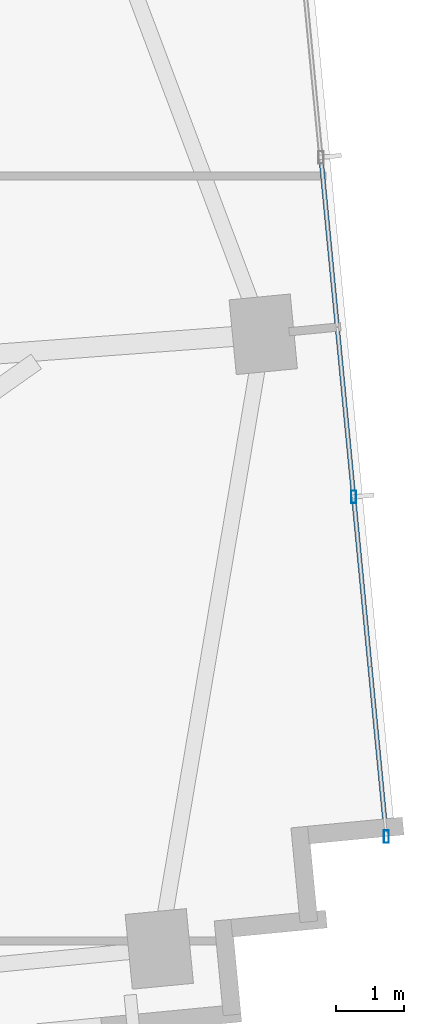
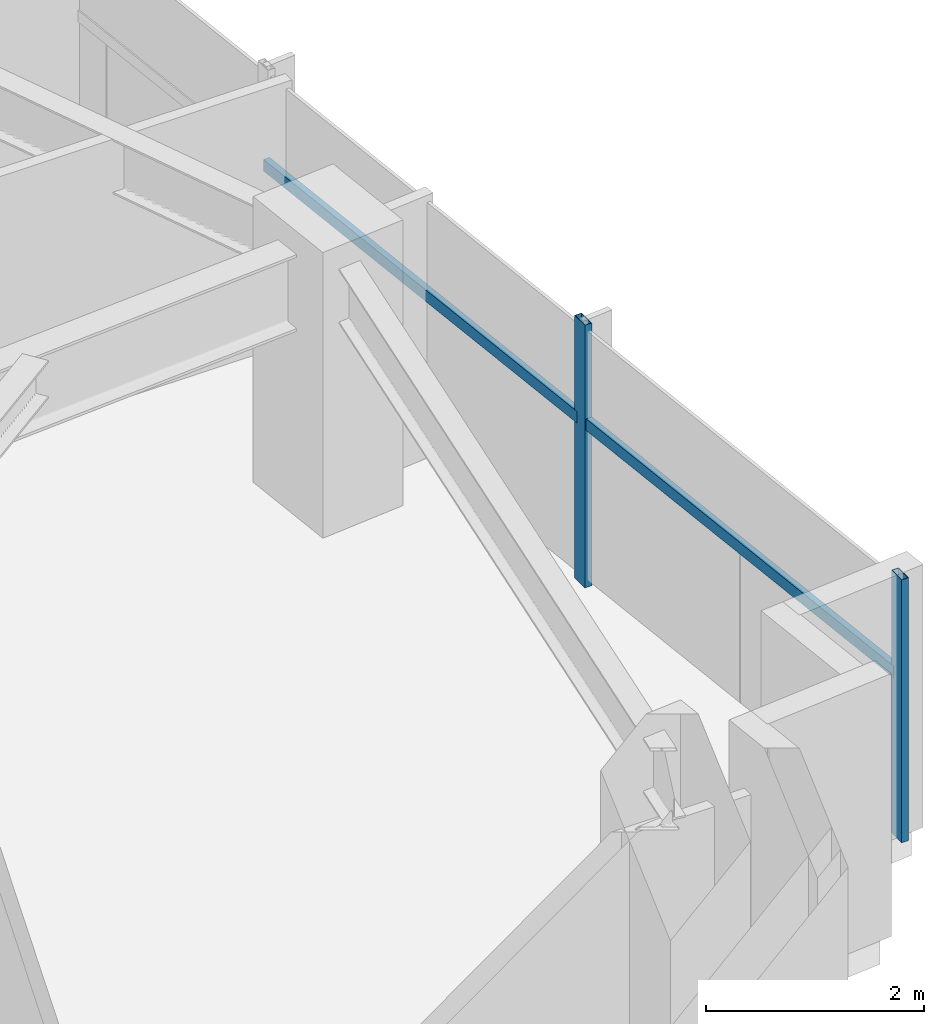
# One storey, part 14 of 25: 4 members, 1 element without a shape of its own.
"""IFC4 building model written with IfcOpenShell, lengths in metres."""

from ifc_helpers import new_model, si_unit, direction, frame, origin, origin_2d, place, context, subcontext, project, spatial, hollow_rectangle, extrude, source, transform, mapped, material, material_profile, profile_set, type_object, type_shapes, element, aggregate, save


model = new_model("IFC4")

# Units and contexts
model_context = context("Model", 3, precision=1e-05, world=origin(), true_north=direction((0.0, 1.0)))
body_context = subcontext(model_context, "Body", "Model", "MODEL_VIEW")
ifc_project = project(units=[si_unit("LENGTHUNIT", "METRE"), si_unit("AREAUNIT", "SQUARE_METRE"), si_unit("VOLUMEUNIT", "CUBIC_METRE"), si_unit("PLANEANGLEUNIT", "RADIAN"), si_unit("MASSUNIT", "GRAM", prefix="KILO")], contexts=[model_context])

# Site, building, storey
site_placement = place(None, origin())
site = spatial("IfcSite", under=ifc_project, at=site_placement, CompositionType="ELEMENT")
building_placement = place(site_placement, origin())
building = spatial("IfcBuilding", under=site, at=building_placement, Name="Astriad Promenade Condominiums", CompositionType="ELEMENT")
storey_placement = place(building_placement, frame((0.0, 0.0, 100.199951171875)))
storey = spatial("IfcBuildingStorey", under=building, at=storey_placement, Name="L28", CompositionType="ELEMENT", Elevation=100.199951171875)

# Curtain wall, members
ifc_material_1 = material(Name="Anodised aluminium Black Dark Glass Unitised", Category="aluminium")
curtain_wall_type = type_object("IfcCurtainWallType", Name="CW-B2-DARK", PredefinedType="USERDEFINED", material=ifc_material_1)
curtain_wall_placement = place(storey_placement, origin())
curtain_wall = element("IfcCurtainWall", 1, at=curtain_wall_placement, inside=storey, type_object=curtain_wall_type, Name="CW-L28-E", ObjectType="UNITISED_CURTAIN_WALL", PredefinedType="USERDEFINED")
ifc_material_2 = material(Name="Anodised aluminium 6063-T6 Black", Category="aluminium")
ifc_material_profile_1 = material_profile(ifc_material_2, hollow_rectangle(XDim=0.074951171875, YDim=0.18505859375, WallThickness=0.00439453125, at=origin_2d()), Name="ALU-MUL-75X185")
ifc_profile_set_1 = profile_set([ifc_material_profile_1], Name="Anodised aluminium 6063-T6 Black")
member_type_1 = type_object("IfcMemberType", Name="MUL-ALU-MUL-75X185", PredefinedType="MULLION", material=ifc_profile_set_1)
shared_shape_1 = source(origin(), body_context, "Body", "SweptSolid", [
    extrude(hollow_rectangle(XDim=0.074951171875, YDim=0.18505859375, WallThickness=0.00439453125, at=origin_2d()), origin(), (0.0, 0.0, 1.0), 2.93994140625),
])
type_shapes(member_type_1, [shared_shape_1])
member_1_placement = place(storey_placement, frame((68.972900390625, 16.6552734375, 0.0), z_axis=(0.0, 0.0, 1.0), x_axis=(1.0, 0.0, 0.0)))
member_1 = element("IfcMember", 2, at=member_1_placement, type_object=member_type_1, Name="CW-L28-E-MUL-02", PredefinedType="MULLION", context=body_context, shape_type="MappedRepresentation", body=[
    mapped(shared_shape_1, transform((0.0, 0.0, 0.0), scale=1.0)),
])
member_2_placement = place(storey_placement, frame((69.4521484375, 11.67822265625, 0.0), z_axis=(0.0, 0.0, 1.0), x_axis=(1.0, 0.0, 0.0)))
member_2 = element("IfcMember", 3, at=member_2_placement, type_object=member_type_1, Name="CW-L28-E-MUL-03", PredefinedType="MULLION", context=body_context, shape_type="MappedRepresentation", body=[
    mapped(shared_shape_1, transform((0.0, 0.0, 0.0), scale=1.0)),
])
ifc_material_profile_2 = material_profile(ifc_material_2, hollow_rectangle(XDim=0.06494140625, YDim=0.1298828125, WallThickness=0.00390625, at=origin_2d()), Name="ALU-TRN-65X130")
ifc_profile_set_2 = profile_set([ifc_material_profile_2], Name="Anodised aluminium 6063-T6 Black")
member_type_2 = type_object("IfcMemberType", Name="TRN-ALU-TRN-65X130", PredefinedType="USERDEFINED", material=ifc_profile_set_2)
shared_shape_2 = source(origin(), body_context, "Body", "SweptSolid", [
    extrude(hollow_rectangle(XDim=0.06494140625, YDim=0.1298828125, WallThickness=0.00390625, at=origin_2d()), origin(), (0.0, 0.0, 1.0), 5.0),
])
member_3_placement = place(storey_placement, frame((68.972900390625, 16.6552734375, 1.82275390625), z_axis=(0.095848242264, -0.995395958629, 0.0), x_axis=(0.995395958629, 0.095848242264, 0.0)))
member_3 = element("IfcMember", 4, at=member_3_placement, type_object=member_type_2, Name="CW-L28-E-TRN-02-0", ObjectType="TRANSOM", PredefinedType="USERDEFINED", context=body_context, shape_type="MappedRepresentation", body=[
    mapped(shared_shape_2, transform((0.0, 0.0, 0.0), scale=1.0)),
])
shared_shape_3 = source(origin(), body_context, "Body", "SweptSolid", [
    extrude(hollow_rectangle(XDim=0.06494140625, YDim=0.1298828125, WallThickness=0.00390625, at=origin_2d()), origin(), (0.0, 0.0, 1.0), 4.999755859375),
])
type_shapes(member_type_2, [shared_shape_2, shared_shape_3])
member_4_placement = place(storey_placement, frame((68.493896484375, 21.632080078125, 1.82275390625), z_axis=(0.095804519461, -0.995400167797, 0.0), x_axis=(0.995400167797, 0.095804519461, 0.0)))
member_4 = element("IfcMember", 5, at=member_4_placement, type_object=member_type_2, Name="CW-L28-E-TRN-01-0", ObjectType="TRANSOM", PredefinedType="USERDEFINED", context=body_context, shape_type="MappedRepresentation", body=[
    mapped(shared_shape_3, transform((0.0, 0.0, 0.0), scale=1.0)),
])
aggregate(curtain_wall, [member_1, member_2, member_4, member_3])

save(model, "model.ifc")
